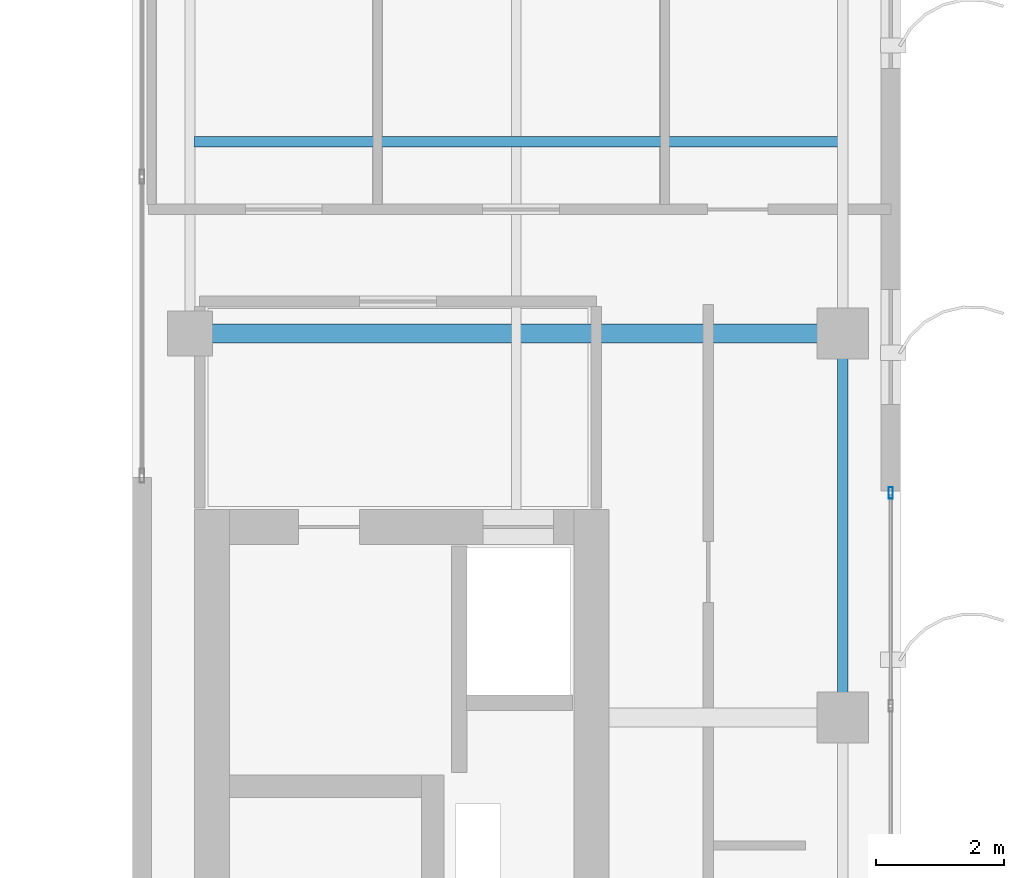
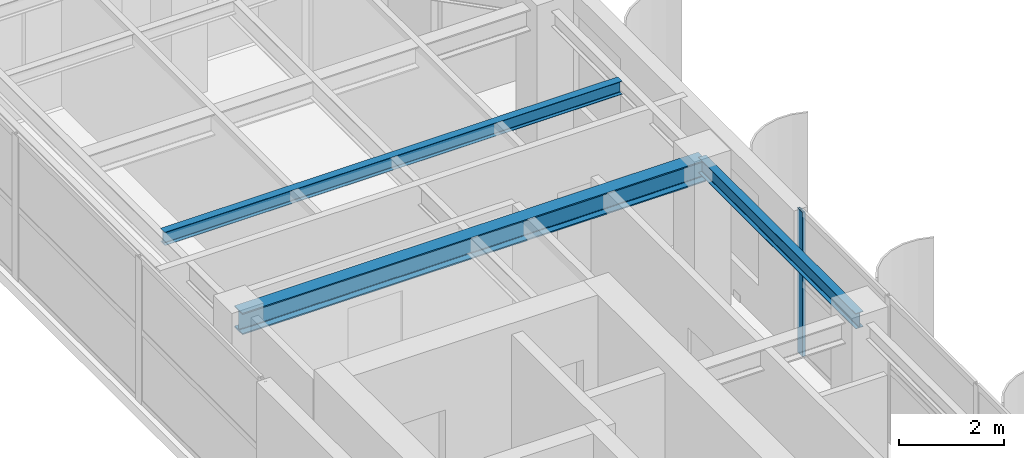
# One storey, part 13 of 24: 3 beams, 1 member, 1 element without a shape of its own.
"""IFC4 building model written with IfcOpenShell, lengths in metres."""

from ifc_helpers import new_model, si_unit, direction, frame, origin, origin_2d, place, context, subcontext, project, spatial, hollow_rectangle, i_section, extrude, source, transform, mapped, material, layer, layer_set, material_profile, profile_set, type_object, element, aggregate, save


model = new_model("IFC4")

# Units and contexts
model_context = context("Model", 3, precision=1e-05, world=origin(), true_north=direction((0.0, 1.0)))
body_context = subcontext(model_context, "Body", "Model", "MODEL_VIEW")
ifc_project = project(units=[si_unit("LENGTHUNIT", "METRE"), si_unit("AREAUNIT", "SQUARE_METRE"), si_unit("VOLUMEUNIT", "CUBIC_METRE"), si_unit("PLANEANGLEUNIT", "RADIAN"), si_unit("MASSUNIT", "GRAM", prefix="KILO")], contexts=[model_context])

# Site, building, storey
site_placement = place(None, origin())
site = spatial("IfcSite", under=ifc_project, at=site_placement, CompositionType="ELEMENT")
building_placement = place(site_placement, origin())
building = spatial("IfcBuilding", under=site, at=building_placement, Name="Khoralis Quay Care Tower", CompositionType="ELEMENT")
storey_placement = place(building_placement, frame((0.0, 0.0, 234.89990234375)))
storey = spatial("IfcBuildingStorey", under=building, at=storey_placement, Name="L61", CompositionType="ELEMENT", Elevation=234.89990234375)

# Beams
ifc_material_1 = material(Name="Steel S355", Category="steel")
ifc_material_profile_1 = material_profile(ifc_material_1, i_section(OverallWidth=0.169921875, OverallDepth=0.360107421875, WebThickness=0.008056640625, FlangeThickness=0.0126953125, FilletRadius=0.01806640625, at=origin_2d()), Name="Steel S355")
ifc_profile_set_1 = profile_set([ifc_material_profile_1], Name="Steel S355")
beam_type_1 = type_object("IfcBeamType", Name="BM-IPE360", PredefinedType="SPANDREL", material=ifc_profile_set_1)
shared_shape_1 = source(origin(), body_context, "Body", "SweptSolid", [
    extrude(i_section(OverallWidth=0.169921875, OverallDepth=0.360107421875, WebThickness=0.008056640625, FlangeThickness=0.0126953125, FilletRadius=0.01806640625, at=origin_2d()), origin(), (0.0, 0.0, 1.0), 6.0),
])
beam_1_placement = place(storey_placement, frame((41.10009765625, 24.0, 3.18017578125), z_axis=(0.0, 1.0, 0.0), x_axis=(-1.0, 0.0, 0.0)))
element("IfcBeam", 1, at=beam_1_placement, inside=storey, type_object=beam_type_1, Name="BM-TSP-L61-11", PredefinedType="SPANDREL", context=body_context, shape_type="MappedRepresentation", body=[
    mapped(shared_shape_1, transform((0.0, 0.0, 0.0), scale=1.0)),
])
ifc_material_profile_2 = material_profile(ifc_material_1, i_section(OverallWidth=0.300048828125, OverallDepth=0.5, WebThickness=0.014404296875, FlangeThickness=0.028076171875, FilletRadius=0.027099609375, at=origin_2d()), Name="Steel S355")
ifc_profile_set_2 = profile_set([ifc_material_profile_2], Name="Steel S355")
beam_type_2 = type_object("IfcBeamType", Name="BM-HEB500", PredefinedType="BEAM", material=ifc_profile_set_2)
shared_shape_2 = source(origin(), body_context, "Body", "SweptSolid", [
    extrude(i_section(OverallWidth=0.300048828125, OverallDepth=0.5, WebThickness=0.014404296875, FlangeThickness=0.028076171875, FilletRadius=0.027099609375, at=origin_2d()), origin(), (0.0, 0.0, 1.0), 10.2001953125),
])
beam_2_placement = place(storey_placement, frame((30.89990234375, 30.0, 3.110107421875), z_axis=(1.0, 0.0, 0.0), x_axis=(0.0, 1.0, 0.0)))
element("IfcBeam", 2, at=beam_2_placement, inside=storey, type_object=beam_type_2, Name="BM-TGXE-L61-300", PredefinedType="BEAM", context=body_context, shape_type="MappedRepresentation", body=[
    mapped(shared_shape_2, transform((0.0, 0.0, 0.0), scale=1.0)),
])
ifc_material_profile_3 = material_profile(ifc_material_1, i_section(OverallWidth=0.1650390625, OverallDepth=0.31005859375, WebThickness=0.005859375, FlangeThickness=0.009765625, FilletRadius=0.011962890625, at=origin_2d()), Name="Steel S355")
ifc_profile_set_3 = profile_set([ifc_material_profile_3], Name="Steel S355")
beam_type_3 = type_object("IfcBeamType", Name="BM-W310X39", PredefinedType="JOIST", material=ifc_profile_set_3)
shared_shape_3 = source(origin(), body_context, "Body", "SweptSolid", [
    extrude(i_section(OverallWidth=0.1650390625, OverallDepth=0.31005859375, WebThickness=0.005859375, FlangeThickness=0.009765625, FilletRadius=0.011962890625, at=origin_2d()), origin(), (0.0, 0.0, 1.0), 10.06396484375),
])
beam_3_placement = place(storey_placement, frame((30.965087890625, 33.0, 3.205078125), z_axis=(1.0, 0.0, 0.0), x_axis=(0.0, 1.0, 0.0)))
element("IfcBeam", 3, at=beam_3_placement, inside=storey, type_object=beam_type_3, Name="BM-TJS-L61-20", PredefinedType="JOIST", context=body_context, shape_type="MappedRepresentation", body=[
    mapped(shared_shape_3, transform((0.0, 0.0, 0.0), scale=1.0)),
])

# Curtain wall, member
ifc_material_2 = material(Name="Pale anodised aluminium", Category="aluminium")
ifc_layer = layer(ifc_material_2, 0.159912109375)
ifc_layer_set = layer_set([ifc_layer], Name="Pale anodised aluminium")
curtain_wall_type = type_object("IfcCurtainWallType", Name="CW-SYS-Z3", PredefinedType="NOTDEFINED", material=ifc_layer_set)
curtain_wall_placement = place(storey_placement, origin())
curtain_wall = element("IfcCurtainWall", 4, at=curtain_wall_placement, inside=storey, type_object=curtain_wall_type, Name="L61 Unitised Curtain Wall CW-L61-P2-E5", PredefinedType="NOTDEFINED")
ifc_material_profile_4 = material_profile(ifc_material_2, hollow_rectangle(XDim=0.06494140625, YDim=0.179931640625, WallThickness=0.00390625, at=origin_2d()), Name="Pale anodised aluminium")
ifc_profile_set_4 = profile_set([ifc_material_profile_4], Name="Pale anodised aluminium")
member_type = type_object("IfcMemberType", Name="CW-MUL-180", PredefinedType="MULLION", material=ifc_profile_set_4)
shared_shape_4 = source(origin(), body_context, "Body", "SweptSolid", [
    extrude(hollow_rectangle(XDim=0.06494140625, YDim=0.179931640625, WallThickness=0.00390625, at=origin_2d()), origin(), (0.0, 0.0, 1.0), 3.360107421875),
])
member_placement = place(storey_placement, frame((41.85009765625, 27.510009765625, 0.0), z_axis=(0.0, 0.0, 1.0), x_axis=(-1.0, 0.0, 0.0)))
member = element("IfcMember", 5, at=member_placement, type_object=member_type, Name="CW3 mullion 4", PredefinedType="MULLION", context=body_context, shape_type="MappedRepresentation", body=[
    mapped(shared_shape_4, transform((0.0, 0.0, 0.0), scale=1.0)),
])
aggregate(curtain_wall, [member])

save(model, "model.ifc")
